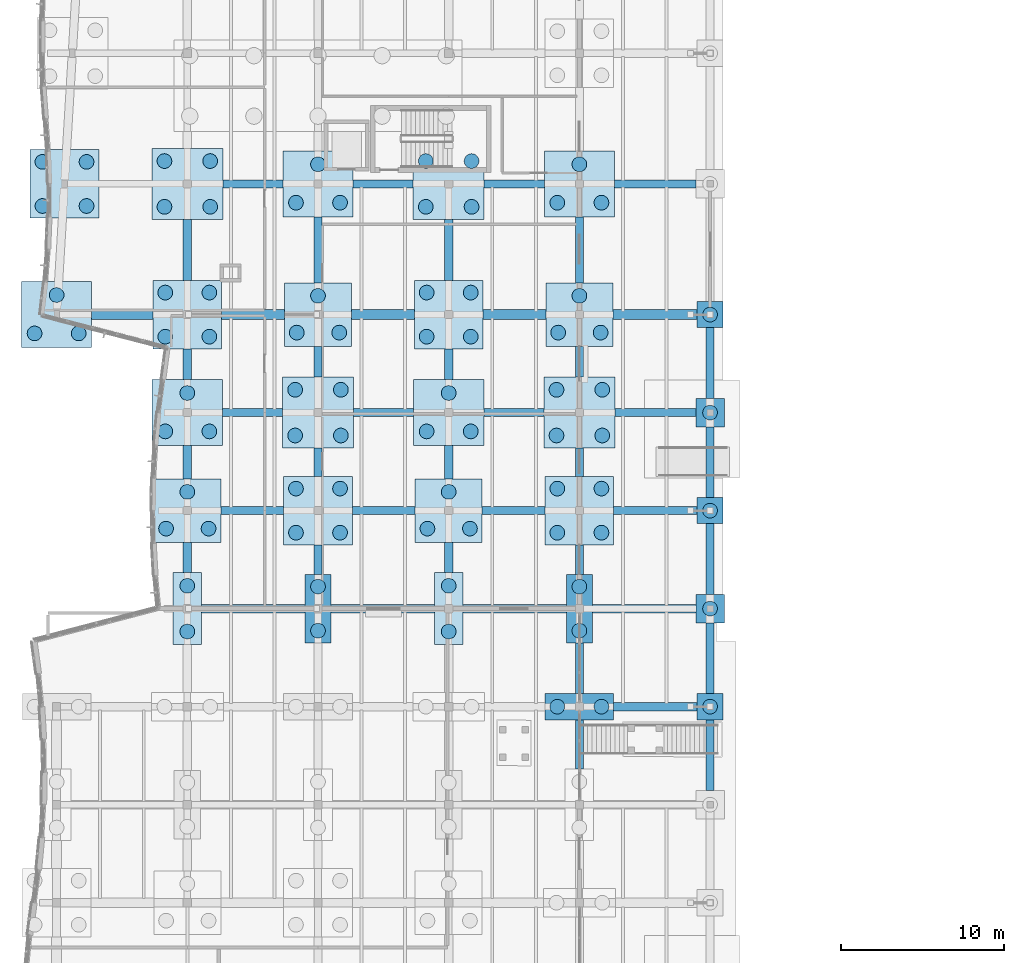
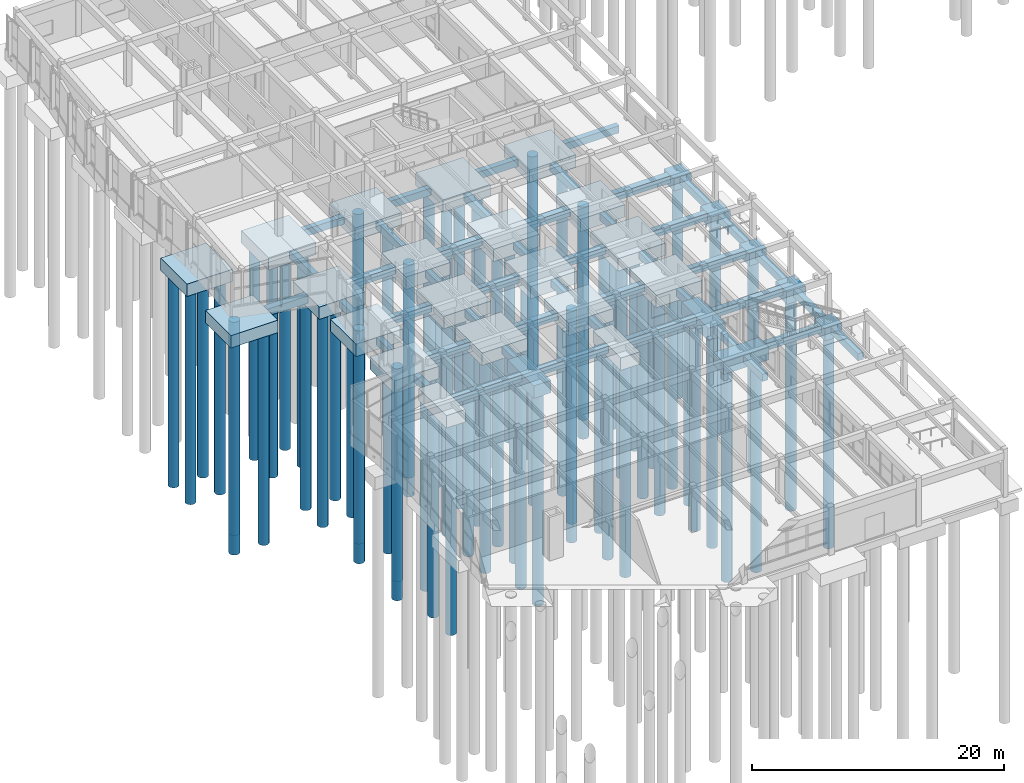
# One storey, part 2 of 99: 78 piles, 73 footings.
"""IFC4 building model written with IfcOpenShell, lengths in metres."""

from ifc_helpers import new_model, si_unit, direction, frame, origin, origin_2d, place, context, subcontext, project, spatial, rectangle, circle, extrude, material, material_profile, profile_set, type_object, element, save


model = new_model("IFC4")

# Units and contexts
model_context = context("Model", 3, precision=1e-05, world=origin(), true_north=direction((0.0, 1.0)))
body_context = subcontext(model_context, "Body", "Model", "MODEL_VIEW")
ifc_project = project(units=[si_unit("LENGTHUNIT", "METRE"), si_unit("AREAUNIT", "SQUARE_METRE"), si_unit("VOLUMEUNIT", "CUBIC_METRE"), si_unit("PLANEANGLEUNIT", "RADIAN"), si_unit("MASSUNIT", "GRAM", prefix="KILO")], contexts=[model_context])

# Site, building, storey
site_placement = place(None, origin())
site = spatial("IfcSite", under=ifc_project, at=site_placement, CompositionType="ELEMENT")
building_placement = place(site_placement, origin())
building = spatial("IfcBuilding", under=site, at=building_placement, Name="Tonlespit Floodbar School", CompositionType="ELEMENT")
storey_placement = place(building_placement, origin())
storey = spatial("IfcBuildingStorey", under=building, at=storey_placement, Name="L00", CompositionType="ELEMENT", Elevation=0.0)

# Footings
ifc_material_1 = material(Name="Concrete C40/50", Category="concrete")
footing_type_1 = type_object("IfcFootingType", Name="FootingBeam_RC_500x700", PredefinedType="FOOTING_BEAM", material=ifc_material_1)
footing_1_placement = place(storey_placement, frame((40.64990234375, 32.0, -0.89990234375), z_axis=(0.0, 0.0, 1.0), x_axis=(1.0, 0.0, 0.0)))
element("IfcFooting", 1, at=footing_1_placement, inside=storey, type_object=footing_type_1, Name="Ground tie beam FB-030", PredefinedType="FOOTING_BEAM", context=body_context, shape_type="SweptSolid", body=[
    extrude(rectangle(XDim=5.10009765625, YDim=0.5, at=origin_2d()), origin(), (0.0, 0.0, 1.0), 0.699951171875),
])
for number, where, z_axis, x_axis, name in (
    (2, (16.03759765625, 38.0, -0.89990234375), (0.0, 0.0, 1.0), (1.0, 0.0, 0.0), "Ground tie beam FB-031"),
    (3, (23.96240234375, 38.0, -0.89990234375), (0.0, 0.0, 1.0), (1.0, 0.0, 0.0), "Ground tie beam FB-032"),
    (4, (32.03759765625, 38.0, -0.89990234375), (0.0, 0.0, 1.0), (1.0, 0.0, 0.0), "Ground tie beam FB-033"),
    (5, (39.96240234375, 38.0, -0.89990234375), (0.0, 0.0, 1.0), (1.0, 0.0, 0.0), "Ground tie beam FB-034"),
):
    element("IfcFooting", number, at=place(storey_placement, frame(where, z_axis=z_axis, x_axis=x_axis)), inside=storey, type_object=footing_type_1, Name=name, PredefinedType="FOOTING_BEAM", context=body_context, shape_type="SweptSolid", body=[
        extrude(rectangle(XDim=6.324951171875, YDim=0.5, at=origin_2d()), origin(), (0.0, 0.0, 1.0), 0.699951171875),
    ])
for number, where, z_axis, x_axis, name in (
    (6, (15.97509765625, 44.0, -0.89990234375), (0.0, 0.0, 1.0), (1.0, 0.0, 0.0), "Ground tie beam FB-035"),
    (7, (24.02490234375, 44.0, -0.89990234375), (0.0, 0.0, 1.0), (1.0, 0.0, 0.0), "Ground tie beam FB-036"),
    (8, (31.97509765625, 44.0, -0.89990234375), (0.0, 0.0, 1.0), (1.0, 0.0, 0.0), "Ground tie beam FB-037"),
):
    element("IfcFooting", number, at=place(storey_placement, frame(where, z_axis=z_axis, x_axis=x_axis)), inside=storey, type_object=footing_type_1, Name=name, PredefinedType="FOOTING_BEAM", context=body_context, shape_type="SweptSolid", body=[
        extrude(rectangle(XDim=3.85009765625, YDim=0.5, at=origin_2d()), origin(), (0.0, 0.0, 1.0), 0.699951171875),
    ])
footing_2_placement = place(storey_placement, frame((40.64990234375, 44.0, -0.89990234375), z_axis=(0.0, 0.0, 1.0), x_axis=(1.0, 0.0, 0.0)))
element("IfcFooting", 9, at=footing_2_placement, inside=storey, type_object=footing_type_1, Name="Ground tie beam FB-038", PredefinedType="FOOTING_BEAM", context=body_context, shape_type="SweptSolid", body=[
    extrude(rectangle(XDim=5.10009765625, YDim=0.5, at=origin_2d()), origin(), (0.0, 0.0, 1.0), 0.699951171875),
])
for number, where, z_axis, x_axis, name in (
    (10, (15.987548828125, 50.0, -0.89990234375), (0.0, 0.0, 1.0), (1.0, 0.0, 0.0), "Ground tie beam FB-039"),
    (11, (24.012451171875, 50.0, -0.89990234375), (0.0, 0.0, 1.0), (1.0, 0.0, 0.0), "Ground tie beam FB-040"),
    (12, (31.987548828125, 50.0, -0.89990234375), (0.0, 0.0, 1.0), (1.0, 0.0, 0.0), "Ground tie beam FB-041"),
):
    element("IfcFooting", number, at=place(storey_placement, frame(where, z_axis=z_axis, x_axis=x_axis)), inside=storey, type_object=footing_type_1, Name=name, PredefinedType="FOOTING_BEAM", context=body_context, shape_type="SweptSolid", body=[
        extrude(rectangle(XDim=3.675048828125, YDim=0.5, at=origin_2d()), origin(), (0.0, 0.0, 1.0), 0.699951171875),
    ])
footing_3_placement = place(storey_placement, frame((40.64990234375, 50.0, -0.89990234375), z_axis=(0.0, 0.0, 1.0), x_axis=(1.0, 0.0, 0.0)))
element("IfcFooting", 13, at=footing_3_placement, inside=storey, type_object=footing_type_1, Name="Ground tie beam FB-042", PredefinedType="FOOTING_BEAM", context=body_context, shape_type="SweptSolid", body=[
    extrude(rectangle(XDim=4.949951171875, YDim=0.5, at=origin_2d()), origin(), (0.0, 0.0, 1.0), 0.699951171875),
])
for number, where, z_axis, x_axis, name in (
    (14, (16.012451171875, 64.0, -0.89990234375), (0.0, 0.0, 1.0), (1.0, 0.0, 0.0), "Ground tie beam FB-055"),
    (15, (23.987548828125, 64.0, -0.89990234375), (0.0, 0.0, 1.0), (1.0, 0.0, 0.0), "Ground tie beam FB-056"),
    (16, (32.012451171875, 64.0, -0.89990234375), (0.0, 0.0, 1.0), (1.0, 0.0, 0.0), "Ground tie beam FB-057"),
):
    element("IfcFooting", number, at=place(storey_placement, frame(where, z_axis=z_axis, x_axis=x_axis)), inside=storey, type_object=footing_type_1, Name=name, PredefinedType="FOOTING_BEAM", context=body_context, shape_type="SweptSolid", body=[
        extrude(rectangle(XDim=3.675048828125, YDim=0.5, at=origin_2d()), origin(), (0.0, 0.0, 1.0), 0.699951171875),
    ])
footing_4_placement = place(storey_placement, frame((40.637451171875, 64.0, -0.89990234375), z_axis=(0.0, 0.0, 1.0), x_axis=(1.0, 0.0, 0.0)))
element("IfcFooting", 17, at=footing_4_placement, inside=storey, type_object=footing_type_1, Name="Ground tie beam FB-058", PredefinedType="FOOTING_BEAM", context=body_context, shape_type="SweptSolid", body=[
    extrude(rectangle(XDim=4.97509765625, YDim=0.5, at=origin_2d()), origin(), (0.0, 0.0, 1.0), 0.699951171875),
])
footing_5_placement = place(storey_placement, frame((12.0, 41.125, -0.89990234375), z_axis=(0.0, 0.0, 1.0), x_axis=(0.0, 1.0, 0.0)))
element("IfcFooting", 18, at=footing_5_placement, inside=storey, type_object=footing_type_1, Name="Ground tie beam FB-170", PredefinedType="FOOTING_BEAM", context=body_context, shape_type="SweptSolid", body=[
    extrude(rectangle(XDim=1.85009765625, YDim=0.5, at=origin_2d()), origin(), (0.0, 0.0, 1.0), 0.699951171875),
])
footing_6_placement = place(storey_placement, frame((12.0, 46.96240234375, -0.89990234375), z_axis=(0.0, 0.0, 1.0), x_axis=(0.0, 1.0, 0.0)))
element("IfcFooting", 19, at=footing_6_placement, inside=storey, type_object=footing_type_1, Name="Ground tie beam FB-171", PredefinedType="FOOTING_BEAM", context=body_context, shape_type="SweptSolid", body=[
    extrude(rectangle(XDim=2.02490234375, YDim=0.5, at=origin_2d()), origin(), (0.0, 0.0, 1.0), 0.699951171875),
])
footing_7_placement = place(storey_placement, frame((12.0, 52.96240234375, -0.89990234375), z_axis=(0.0, 0.0, 1.0), x_axis=(0.0, 1.0, 0.0)))
element("IfcFooting", 20, at=footing_7_placement, inside=storey, type_object=footing_type_1, Name="Ground tie beam FB-172", PredefinedType="FOOTING_BEAM", context=body_context, shape_type="SweptSolid", body=[
    extrude(rectangle(XDim=1.875, YDim=0.5, at=origin_2d()), origin(), (0.0, 0.0, 1.0), 0.699951171875),
])
footing_8_placement = place(storey_placement, frame((12.0, 59.96240234375, -0.89990234375), z_axis=(0.0, 0.0, 1.0), x_axis=(0.0, 1.0, 0.0)))
element("IfcFooting", 21, at=footing_8_placement, inside=storey, type_object=footing_type_1, Name="Ground tie beam FB-173", PredefinedType="FOOTING_BEAM", context=body_context, shape_type="SweptSolid", body=[
    extrude(rectangle(XDim=3.72509765625, YDim=0.5, at=origin_2d()), origin(), (0.0, 0.0, 1.0), 0.699951171875),
])
footing_9_placement = place(storey_placement, frame((20.0, 41.0, -0.89990234375), z_axis=(0.0, 0.0, 1.0), x_axis=(0.0, 1.0, 0.0)))
element("IfcFooting", 22, at=footing_9_placement, inside=storey, type_object=footing_type_1, Name="Ground tie beam FB-183", PredefinedType="FOOTING_BEAM", context=body_context, shape_type="SweptSolid", body=[
    extrude(rectangle(XDim=1.800048828125, YDim=0.5, at=origin_2d()), origin(), (0.0, 0.0, 1.0), 0.699951171875),
])
footing_10_placement = place(storey_placement, frame((20.0, 46.96240234375, -0.89990234375), z_axis=(0.0, 0.0, 1.0), x_axis=(0.0, 1.0, 0.0)))
element("IfcFooting", 23, at=footing_10_placement, inside=storey, type_object=footing_type_1, Name="Ground tie beam FB-184", PredefinedType="FOOTING_BEAM", context=body_context, shape_type="SweptSolid", body=[
    extrude(rectangle(XDim=1.72509765625, YDim=0.5, at=origin_2d()), origin(), (0.0, 0.0, 1.0), 0.699951171875),
])
footing_11_placement = place(storey_placement, frame((20.0, 53.112548828125, -0.89990234375), z_axis=(0.0, 0.0, 1.0), x_axis=(0.0, 1.0, 0.0)))
element("IfcFooting", 24, at=footing_11_placement, inside=storey, type_object=footing_type_1, Name="Ground tie beam FB-185", PredefinedType="FOOTING_BEAM", context=body_context, shape_type="SweptSolid", body=[
    extrude(rectangle(XDim=1.875, YDim=0.5, at=origin_2d()), origin(), (0.0, 0.0, 1.0), 0.699951171875),
])
footing_12_placement = place(storey_placement, frame((20.0, 59.96240234375, -0.89990234375), z_axis=(0.0, 0.0, 1.0), x_axis=(0.0, 1.0, 0.0)))
element("IfcFooting", 25, at=footing_12_placement, inside=storey, type_object=footing_type_1, Name="Ground tie beam FB-186", PredefinedType="FOOTING_BEAM", context=body_context, shape_type="SweptSolid", body=[
    extrude(rectangle(XDim=4.02490234375, YDim=0.5, at=origin_2d()), origin(), (0.0, 0.0, 1.0), 0.699951171875),
])
footing_13_placement = place(storey_placement, frame((28.0, 41.125, -0.89990234375), z_axis=(0.0, 0.0, 1.0), x_axis=(0.0, 1.0, 0.0)))
element("IfcFooting", 26, at=footing_13_placement, inside=storey, type_object=footing_type_1, Name="Ground tie beam FB-196", PredefinedType="FOOTING_BEAM", context=body_context, shape_type="SweptSolid", body=[
    extrude(rectangle(XDim=1.85009765625, YDim=0.5, at=origin_2d()), origin(), (0.0, 0.0, 1.0), 0.699951171875),
])
footing_14_placement = place(storey_placement, frame((28.0, 46.96240234375, -0.89990234375), z_axis=(0.0, 0.0, 1.0), x_axis=(0.0, 1.0, 0.0)))
element("IfcFooting", 27, at=footing_14_placement, inside=storey, type_object=footing_type_1, Name="Ground tie beam FB-197", PredefinedType="FOOTING_BEAM", context=body_context, shape_type="SweptSolid", body=[
    extrude(rectangle(XDim=2.02490234375, YDim=0.5, at=origin_2d()), origin(), (0.0, 0.0, 1.0), 0.699951171875),
])
footing_15_placement = place(storey_placement, frame((28.0, 52.96240234375, -0.89990234375), z_axis=(0.0, 0.0, 1.0), x_axis=(0.0, 1.0, 0.0)))
element("IfcFooting", 28, at=footing_15_placement, inside=storey, type_object=footing_type_1, Name="Ground tie beam FB-198", PredefinedType="FOOTING_BEAM", context=body_context, shape_type="SweptSolid", body=[
    extrude(rectangle(XDim=1.875, YDim=0.5, at=origin_2d()), origin(), (0.0, 0.0, 1.0), 0.699951171875),
])
footing_16_placement = place(storey_placement, frame((28.0, 59.96240234375, -0.89990234375), z_axis=(0.0, 0.0, 1.0), x_axis=(0.0, 1.0, 0.0)))
element("IfcFooting", 29, at=footing_16_placement, inside=storey, type_object=footing_type_1, Name="Ground tie beam FB-199", PredefinedType="FOOTING_BEAM", context=body_context, shape_type="SweptSolid", body=[
    extrude(rectangle(XDim=3.72509765625, YDim=0.5, at=origin_2d()), origin(), (0.0, 0.0, 1.0), 0.699951171875),
])
footing_17_placement = place(storey_placement, frame((36.0, 29.699951171875, -0.89990234375), z_axis=(0.0, 0.0, 1.0), x_axis=(0.0, 1.0, 0.0)))
element("IfcFooting", 30, at=footing_17_placement, inside=storey, type_object=footing_type_1, Name="Ground tie beam FB-207", PredefinedType="FOOTING_BEAM", context=body_context, shape_type="SweptSolid", body=[
    extrude(rectangle(XDim=3.0, YDim=0.5, at=origin_2d()), origin(), (0.0, 0.0, 1.0), 0.699951171875),
])
footing_18_placement = place(storey_placement, frame((36.0, 34.35009765625, -0.89990234375), z_axis=(0.0, 0.0, 1.0), x_axis=(0.0, 1.0, 0.0)))
element("IfcFooting", 31, at=footing_18_placement, inside=storey, type_object=footing_type_1, Name="Ground tie beam FB-208", PredefinedType="FOOTING_BEAM", context=body_context, shape_type="SweptSolid", body=[
    extrude(rectangle(XDim=3.10009765625, YDim=0.5, at=origin_2d()), origin(), (0.0, 0.0, 1.0), 0.699951171875),
])
footing_19_placement = place(storey_placement, frame((36.0, 41.0, -0.89990234375), z_axis=(0.0, 0.0, 1.0), x_axis=(0.0, 1.0, 0.0)))
element("IfcFooting", 32, at=footing_19_placement, inside=storey, type_object=footing_type_1, Name="Ground tie beam FB-209", PredefinedType="FOOTING_BEAM", context=body_context, shape_type="SweptSolid", body=[
    extrude(rectangle(XDim=1.800048828125, YDim=0.5, at=origin_2d()), origin(), (0.0, 0.0, 1.0), 0.699951171875),
])
footing_20_placement = place(storey_placement, frame((36.0, 46.96240234375, -0.89990234375), z_axis=(0.0, 0.0, 1.0), x_axis=(0.0, 1.0, 0.0)))
element("IfcFooting", 33, at=footing_20_placement, inside=storey, type_object=footing_type_1, Name="Ground tie beam FB-210", PredefinedType="FOOTING_BEAM", context=body_context, shape_type="SweptSolid", body=[
    extrude(rectangle(XDim=1.72509765625, YDim=0.5, at=origin_2d()), origin(), (0.0, 0.0, 1.0), 0.699951171875),
])
footing_21_placement = place(storey_placement, frame((36.0, 53.112548828125, -0.89990234375), z_axis=(0.0, 0.0, 1.0), x_axis=(0.0, 1.0, 0.0)))
element("IfcFooting", 34, at=footing_21_placement, inside=storey, type_object=footing_type_1, Name="Ground tie beam FB-211", PredefinedType="FOOTING_BEAM", context=body_context, shape_type="SweptSolid", body=[
    extrude(rectangle(XDim=1.875, YDim=0.5, at=origin_2d()), origin(), (0.0, 0.0, 1.0), 0.699951171875),
])
footing_22_placement = place(storey_placement, frame((36.0, 59.96240234375, -0.89990234375), z_axis=(0.0, 0.0, 1.0), x_axis=(0.0, 1.0, 0.0)))
element("IfcFooting", 35, at=footing_22_placement, inside=storey, type_object=footing_type_1, Name="Ground tie beam FB-212", PredefinedType="FOOTING_BEAM", context=body_context, shape_type="SweptSolid", body=[
    extrude(rectangle(XDim=4.02490234375, YDim=0.5, at=origin_2d()), origin(), (0.0, 0.0, 1.0), 0.699951171875),
])
for number, where, z_axis, x_axis, name in (
    (36, (44.0, 29.03759765625, -0.89990234375), (0.0, 0.0, 1.0), (0.0, 1.0, 0.0), "Ground tie beam FB-220"),
    (37, (44.0, 34.96240234375, -0.89990234375), (0.0, 0.0, 1.0), (0.0, 1.0, 0.0), "Ground tie beam FB-221"),
    (38, (44.0, 41.03759765625, -0.89990234375), (0.0, 0.0, 1.0), (0.0, 1.0, 0.0), "Ground tie beam FB-222"),
    (39, (44.0, 46.96240234375, -0.89990234375), (0.0, 0.0, 1.0), (0.0, 1.0, 0.0), "Ground tie beam FB-223"),
    (40, (44.0, 53.03759765625, -0.89990234375), (0.0, 0.0, 1.0), (0.0, 1.0, 0.0), "Ground tie beam FB-224"),
):
    element("IfcFooting", number, at=place(storey_placement, frame(where, z_axis=z_axis, x_axis=x_axis)), inside=storey, type_object=footing_type_1, Name=name, PredefinedType="FOOTING_BEAM", context=body_context, shape_type="SweptSolid", body=[
        extrude(rectangle(XDim=4.324951171875, YDim=0.5, at=origin_2d()), origin(), (0.0, 0.0, 1.0), 0.699951171875),
    ])
footing_type_2 = type_object("IfcFootingType", Name="PileCap_1P_1600", PredefinedType="PILE_CAP", material=ifc_material_1)
for number, where, z_axis, x_axis, name in (
    (41, (44.0, 32.0, -1.39990234375), (0.0, 0.0, 1.0), (1.0, 0.0, 0.0), "Pile cap FC-071 at U06/V05"),
    (42, (44.0, 44.0, -1.39990234375), (0.0, 0.0, 1.0), (1.0, 0.0, 0.0), "Pile cap FC-073 at U06/V07"),
    (43, (44.0, 56.0, -1.39990234375), (0.0, 0.0, 1.0), (1.0, 0.0, 0.0), "Pile cap FC-075 at U06/V09"),
):
    element("IfcFooting", number, at=place(storey_placement, frame(where, z_axis=z_axis, x_axis=x_axis)), inside=storey, type_object=footing_type_2, Name=name, PredefinedType="PILE_CAP", context=body_context, shape_type="SweptSolid", body=[
        extrude(rectangle(XDim=1.60009765625, YDim=1.60009765625, at=origin_2d()), origin(), (0.0, 0.0, 1.0), 1.199951171875),
    ])
footing_type_3 = type_object("IfcFootingType", Name="PileCap_1P_1750", PredefinedType="PILE_CAP", material=ifc_material_1)
for number, where, z_axis, x_axis, name in (
    (44, (44.0, 38.0, -1.39990234375), (0.0, 0.0, 1.0), (1.0, 0.0, 0.0), "Pile cap FC-072 at U06/V06"),
    (45, (44.0, 50.0, -1.39990234375), (0.0, 0.0, 1.0), (1.0, 0.0, 0.0), "Pile cap FC-074 at U06/V08"),
):
    element("IfcFooting", number, at=place(storey_placement, frame(where, z_axis=z_axis, x_axis=x_axis)), inside=storey, type_object=footing_type_3, Name=name, PredefinedType="PILE_CAP", context=body_context, shape_type="SweptSolid", body=[
        extrude(rectangle(XDim=1.75, YDim=1.75, at=origin_2d()), origin(), (0.0, 0.0, 1.0), 1.199951171875),
    ])
footing_type_4 = type_object("IfcFootingType", Name="PileCap_2PX_4200x1600", PredefinedType="PILE_CAP", material=ifc_material_1)
footing_23_placement = place(storey_placement, frame((36.0, 32.0, -1.39990234375), z_axis=(0.0, 0.0, 1.0), x_axis=(1.0, 0.0, 0.0)))
element("IfcFooting", 46, at=footing_23_placement, inside=storey, type_object=footing_type_4, Name="Pile cap FC-057 at U05/V05", PredefinedType="PILE_CAP", context=body_context, shape_type="SweptSolid", body=[
    extrude(rectangle(XDim=4.199951171875, YDim=1.60009765625, at=origin_2d()), origin(), (0.0, 0.0, 1.0), 1.199951171875),
])
footing_type_5 = type_object("IfcFootingType", Name="PileCap_2PY_1600x4200", PredefinedType="PILE_CAP", material=ifc_material_1)
for number, where, z_axis, x_axis, name in (
    (47, (20.0, 38.0, -1.39990234375), (0.0, 0.0, 1.0), (1.0, 0.0, 0.0), "Pile cap FC-030 at U03/V06"),
    (48, (36.0, 38.0, -1.39990234375), (0.0, 0.0, 1.0), (1.0, 0.0, 0.0), "Pile cap FC-058 at U05/V06"),
):
    element("IfcFooting", number, at=place(storey_placement, frame(where, z_axis=z_axis, x_axis=x_axis)), inside=storey, type_object=footing_type_5, Name=name, PredefinedType="PILE_CAP", context=body_context, shape_type="SweptSolid", body=[
        extrude(rectangle(XDim=1.60009765625, YDim=4.199951171875, at=origin_2d()), origin(), (0.0, 0.0, 1.0), 1.199951171875),
    ])
footing_type_6 = type_object("IfcFootingType", Name="PileCap_2PY_1750x4400", PredefinedType="PILE_CAP", material=ifc_material_1)
for number, where, z_axis, x_axis, name in (
    (49, (12.0, 38.0, -1.39990234375), (0.0, 0.0, 1.0), (1.0, 0.0, 0.0), "Pile cap FC-016 at U02/V06"),
    (50, (28.0, 38.0, -1.39990234375), (0.0, 0.0, 1.0), (1.0, 0.0, 0.0), "Pile cap FC-044 at U04/V06"),
):
    element("IfcFooting", number, at=place(storey_placement, frame(where, z_axis=z_axis, x_axis=x_axis)), inside=storey, type_object=footing_type_6, Name=name, PredefinedType="PILE_CAP", context=body_context, shape_type="SweptSolid", body=[
        extrude(rectangle(XDim=1.75, YDim=4.39990234375, at=origin_2d()), origin(), (0.0, 0.0, 1.0), 1.199951171875),
    ])
footing_type_7 = type_object("IfcFootingType", Name="PileCap_3P_4100x3900", PredefinedType="PILE_CAP", material=ifc_material_1)
for number, where, z_axis, x_axis, name in (
    (51, (12.0, 44.0, -1.39990234375), (0.0, 0.0, 1.0), (1.0, 0.0, 0.0), "Pile cap FC-017 at U02/V07"),
    (52, (20.0, 56.0, -1.39990234375), (0.0, 0.0, 1.0), (1.0, 0.0, 0.0), "Pile cap FC-033 at U03/V09"),
    (53, (28.0, 44.0, -1.39990234375), (0.0, 0.0, 1.0), (1.0, 0.0, 0.0), "Pile cap FC-045 at U04/V07"),
    (54, (36.0, 56.0, -1.39990234375), (0.0, 0.0, 1.0), (1.0, 0.0, 0.0), "Pile cap FC-061 at U05/V09"),
):
    element("IfcFooting", number, at=place(storey_placement, frame(where, z_axis=z_axis, x_axis=x_axis)), inside=storey, type_object=footing_type_7, Name=name, PredefinedType="PILE_CAP", context=body_context, shape_type="SweptSolid", body=[
        extrude(rectangle(XDim=4.10009765625, YDim=3.89990234375, at=origin_2d()), origin(), (0.0, 0.0, 1.0), 1.199951171875),
    ])
footing_type_8 = type_object("IfcFootingType", Name="PileCap_3P_4300x4050", PredefinedType="PILE_CAP", material=ifc_material_1)
for number, where, z_axis, x_axis, name in (
    (55, (4.0, 56.0, -1.39990234375), (0.0, 0.0, 1.0), (1.0, 0.0, 0.0), "Pile cap FC-006 at U01S/V09"),
    (56, (12.0, 50.0, -1.39990234375), (0.0, 0.0, 1.0), (1.0, 0.0, 0.0), "Pile cap FC-018 at U02/V08"),
    (57, (20.0, 64.0, -1.39990234375), (0.0, 0.0, 1.0), (1.0, 0.0, 0.0), "Pile cap FC-034 at U03/V10"),
    (58, (28.0, 50.0, -1.39990234375), (0.0, 0.0, 1.0), (1.0, 0.0, 0.0), "Pile cap FC-046 at U04/V08"),
    (59, (36.0, 64.0, -1.39990234375), (0.0, 0.0, 1.0), (1.0, 0.0, 0.0), "Pile cap FC-062 at U05/V10"),
):
    element("IfcFooting", number, at=place(storey_placement, frame(where, z_axis=z_axis, x_axis=x_axis)), inside=storey, type_object=footing_type_8, Name=name, PredefinedType="PILE_CAP", context=body_context, shape_type="SweptSolid", body=[
        extrude(rectangle(XDim=4.300048828125, YDim=4.050048828125, at=origin_2d()), origin(), (0.0, 0.0, 1.0), 1.199951171875),
    ])
footing_type_9 = type_object("IfcFootingType", Name="PileCap_4P_4200x4200", PredefinedType="PILE_CAP", material=ifc_material_1)
for number, where, z_axis, x_axis, name in (
    (60, (4.47998046875, 64.0, -1.39990234375), (0.0, 0.0, 1.0), (1.0, 0.0, 0.0), "Pile cap FC-007 at U01S/V10"),
    (61, (12.0, 56.0, -1.39990234375), (0.0, 0.0, 1.0), (1.0, 0.0, 0.0), "Pile cap FC-019 at U02/V09"),
    (62, (20.0, 44.0, -1.39990234375), (0.0, 0.0, 1.0), (1.0, 0.0, 0.0), "Pile cap FC-031 at U03/V07"),
    (63, (28.0, 56.0, -1.39990234375), (0.0, 0.0, 1.0), (1.0, 0.0, 0.0), "Pile cap FC-047 at U04/V09"),
    (64, (36.0, 44.0, -1.39990234375), (0.0, 0.0, 1.0), (1.0, 0.0, 0.0), "Pile cap FC-059 at U05/V07"),
):
    element("IfcFooting", number, at=place(storey_placement, frame(where, z_axis=z_axis, x_axis=x_axis)), inside=storey, type_object=footing_type_9, Name=name, PredefinedType="PILE_CAP", context=body_context, shape_type="SweptSolid", body=[
        extrude(rectangle(XDim=4.199951171875, YDim=4.199951171875, at=origin_2d()), origin(), (0.0, 0.0, 1.0), 1.199951171875),
    ])
footing_type_10 = type_object("IfcFootingType", Name="PileCap_4P_4350x4350", PredefinedType="PILE_CAP", material=ifc_material_1)
for number, where, z_axis, x_axis, name in (
    (65, (12.0, 64.0, -1.39990234375), (0.0, 0.0, 1.0), (1.0, 0.0, 0.0), "Pile cap FC-020 at U02/V10"),
    (66, (20.0, 50.0, -1.39990234375), (0.0, 0.0, 1.0), (1.0, 0.0, 0.0), "Pile cap FC-032 at U03/V08"),
    (67, (28.0, 64.0, -1.39990234375), (0.0, 0.0, 1.0), (1.0, 0.0, 0.0), "Pile cap FC-048 at U04/V10"),
    (68, (36.0, 50.0, -1.39990234375), (0.0, 0.0, 1.0), (1.0, 0.0, 0.0), "Pile cap FC-060 at U05/V08"),
):
    element("IfcFooting", number, at=place(storey_placement, frame(where, z_axis=z_axis, x_axis=x_axis)), inside=storey, type_object=footing_type_10, Name=name, PredefinedType="PILE_CAP", context=body_context, shape_type="SweptSolid", body=[
        extrude(rectangle(XDim=4.35009765625, YDim=4.35009765625, at=origin_2d()), origin(), (0.0, 0.0, 1.0), 1.199951171875),
    ])

# Piles
ifc_material_2 = material(Name="Concrete C35/45", Category="concrete")
ifc_material_profile = material_profile(ifc_material_2, circle(Radius=0.449951171875, at=origin_2d()), Name="BP D900")
ifc_profile_set = profile_set([ifc_material_profile], Name="Concrete C35/45")
pile_type = type_object("IfcPileType", Name="Pile_RC_D900", PredefinedType="BORED", material=ifc_profile_set)
for number, where, z_axis, x_axis, name in (
    (69, (2.64990234375, 54.85009765625, -1.300048828125), (0.0, 0.0, -1.0), (1.0, 0.0, 0.0), "Bored pile PL-0065"),
    (70, (5.35009765625, 54.85009765625, -1.300048828125), (0.0, 0.0, -1.0), (1.0, 0.0, 0.0), "Bored pile PL-0066"),
    (71, (4.0, 57.199951171875, -1.300048828125), (0.0, 0.0, -1.0), (1.0, 0.0, 0.0), "Bored pile PL-0067"),
    (72, (3.1298828125, 62.64990234375, -1.300048828125), (0.0, 0.0, -1.0), (1.0, 0.0, 0.0), "Bored pile PL-0068"),
    (73, (5.830078125, 62.64990234375, -1.300048828125), (0.0, 0.0, -1.0), (1.0, 0.0, 0.0), "Bored pile PL-0069"),
    (74, (3.1298828125, 65.35009765625, -1.300048828125), (0.0, 0.0, -1.0), (1.0, 0.0, 0.0), "Bored pile PL-0070"),
    (75, (5.830078125, 65.35009765625, -1.300048828125), (0.0, 0.0, -1.0), (1.0, 0.0, 0.0), "Bored pile PL-0071"),
    (76, (12.0, 36.60009765625, -1.300048828125), (0.0, 0.0, -1.0), (1.0, 0.0, 0.0), "Bored pile PL-0097"),
    (77, (12.0, 39.39990234375, -1.300048828125), (0.0, 0.0, -1.0), (1.0, 0.0, 0.0), "Bored pile PL-0098"),
    (78, (10.699951171875, 42.89990234375, -1.300048828125), (0.0, 0.0, -1.0), (1.0, 0.0, 0.0), "Bored pile PL-0099"),
    (79, (13.300048828125, 42.89990234375, -1.300048828125), (0.0, 0.0, -1.0), (1.0, 0.0, 0.0), "Bored pile PL-0100"),
    (80, (12.0, 45.14990234375, -1.300048828125), (0.0, 0.0, -1.0), (1.0, 0.0, 0.0), "Bored pile PL-0101"),
    (81, (10.64990234375, 48.85009765625, -1.300048828125), (0.0, 0.0, -1.0), (1.0, 0.0, 0.0), "Bored pile PL-0102"),
    (82, (13.35009765625, 48.85009765625, -1.300048828125), (0.0, 0.0, -1.0), (1.0, 0.0, 0.0), "Bored pile PL-0103"),
    (83, (12.0, 51.199951171875, -1.300048828125), (0.0, 0.0, -1.0), (1.0, 0.0, 0.0), "Bored pile PL-0104"),
    (84, (10.64990234375, 54.64990234375, -1.300048828125), (0.0, 0.0, -1.0), (1.0, 0.0, 0.0), "Bored pile PL-0105"),
    (85, (13.35009765625, 54.64990234375, -1.300048828125), (0.0, 0.0, -1.0), (1.0, 0.0, 0.0), "Bored pile PL-0106"),
    (86, (10.64990234375, 57.35009765625, -1.300048828125), (0.0, 0.0, -1.0), (1.0, 0.0, 0.0), "Bored pile PL-0107"),
    (87, (13.35009765625, 57.35009765625, -1.300048828125), (0.0, 0.0, -1.0), (1.0, 0.0, 0.0), "Bored pile PL-0108"),
    (88, (10.60009765625, 62.60009765625, -1.300048828125), (0.0, 0.0, -1.0), (1.0, 0.0, 0.0), "Bored pile PL-0109"),
    (89, (13.39990234375, 62.60009765625, -1.300048828125), (0.0, 0.0, -1.0), (1.0, 0.0, 0.0), "Bored pile PL-0110"),
    (90, (10.60009765625, 65.39990234375, -1.300048828125), (0.0, 0.0, -1.0), (1.0, 0.0, 0.0), "Bored pile PL-0111"),
    (91, (13.39990234375, 65.39990234375, -1.300048828125), (0.0, 0.0, -1.0), (1.0, 0.0, 0.0), "Bored pile PL-0112"),
    (92, (20.0, 36.64990234375, -1.300048828125), (0.0, 0.0, -1.0), (1.0, 0.0, 0.0), "Bored pile PL-0138"),
    (93, (20.0, 39.35009765625, -1.300048828125), (0.0, 0.0, -1.0), (1.0, 0.0, 0.0), "Bored pile PL-0139"),
    (94, (18.64990234375, 42.64990234375, -1.300048828125), (0.0, 0.0, -1.0), (1.0, 0.0, 0.0), "Bored pile PL-0140"),
    (95, (21.35009765625, 42.64990234375, -1.300048828125), (0.0, 0.0, -1.0), (1.0, 0.0, 0.0), "Bored pile PL-0141"),
    (96, (18.64990234375, 45.35009765625, -1.300048828125), (0.0, 0.0, -1.0), (1.0, 0.0, 0.0), "Bored pile PL-0142"),
    (97, (21.35009765625, 45.35009765625, -1.300048828125), (0.0, 0.0, -1.0), (1.0, 0.0, 0.0), "Bored pile PL-0143"),
    (98, (18.60009765625, 48.60009765625, -1.300048828125), (0.0, 0.0, -1.0), (1.0, 0.0, 0.0), "Bored pile PL-0144"),
    (99, (21.39990234375, 48.60009765625, -1.300048828125), (0.0, 0.0, -1.0), (1.0, 0.0, 0.0), "Bored pile PL-0145"),
    (100, (18.60009765625, 51.39990234375, -1.300048828125), (0.0, 0.0, -1.0), (1.0, 0.0, 0.0), "Bored pile PL-0146"),
    (101, (21.39990234375, 51.39990234375, -1.300048828125), (0.0, 0.0, -1.0), (1.0, 0.0, 0.0), "Bored pile PL-0147"),
    (102, (18.699951171875, 54.89990234375, -1.300048828125), (0.0, 0.0, -1.0), (1.0, 0.0, 0.0), "Bored pile PL-0148"),
    (103, (21.300048828125, 54.89990234375, -1.300048828125), (0.0, 0.0, -1.0), (1.0, 0.0, 0.0), "Bored pile PL-0149"),
    (104, (20.0, 57.14990234375, -1.300048828125), (0.0, 0.0, -1.0), (1.0, 0.0, 0.0), "Bored pile PL-0150"),
    (105, (18.64990234375, 62.85009765625, -1.300048828125), (0.0, 0.0, -1.0), (1.0, 0.0, 0.0), "Bored pile PL-0151"),
    (106, (21.35009765625, 62.85009765625, -1.300048828125), (0.0, 0.0, -1.0), (1.0, 0.0, 0.0), "Bored pile PL-0152"),
    (107, (20.0, 65.199951171875, -1.300048828125), (0.0, 0.0, -1.0), (1.0, 0.0, 0.0), "Bored pile PL-0153"),
    (108, (28.0, 36.60009765625, -1.300048828125), (0.0, 0.0, -1.0), (1.0, 0.0, 0.0), "Bored pile PL-0179"),
    (109, (28.0, 39.39990234375, -1.300048828125), (0.0, 0.0, -1.0), (1.0, 0.0, 0.0), "Bored pile PL-0180"),
    (110, (26.699951171875, 42.89990234375, -1.300048828125), (0.0, 0.0, -1.0), (1.0, 0.0, 0.0), "Bored pile PL-0181"),
    (111, (29.300048828125, 42.89990234375, -1.300048828125), (0.0, 0.0, -1.0), (1.0, 0.0, 0.0), "Bored pile PL-0182"),
    (112, (28.0, 45.14990234375, -1.300048828125), (0.0, 0.0, -1.0), (1.0, 0.0, 0.0), "Bored pile PL-0183"),
    (113, (26.64990234375, 48.85009765625, -1.300048828125), (0.0, 0.0, -1.0), (1.0, 0.0, 0.0), "Bored pile PL-0184"),
    (114, (29.35009765625, 48.85009765625, -1.300048828125), (0.0, 0.0, -1.0), (1.0, 0.0, 0.0), "Bored pile PL-0185"),
    (115, (28.0, 51.199951171875, -1.300048828125), (0.0, 0.0, -1.0), (1.0, 0.0, 0.0), "Bored pile PL-0186"),
    (116, (26.64990234375, 54.64990234375, -1.300048828125), (0.0, 0.0, -1.0), (1.0, 0.0, 0.0), "Bored pile PL-0187"),
    (117, (29.35009765625, 54.64990234375, -1.300048828125), (0.0, 0.0, -1.0), (1.0, 0.0, 0.0), "Bored pile PL-0188"),
    (118, (26.64990234375, 57.35009765625, -1.300048828125), (0.0, 0.0, -1.0), (1.0, 0.0, 0.0), "Bored pile PL-0189"),
    (119, (29.35009765625, 57.35009765625, -1.300048828125), (0.0, 0.0, -1.0), (1.0, 0.0, 0.0), "Bored pile PL-0190"),
    (120, (26.60009765625, 62.60009765625, -1.300048828125), (0.0, 0.0, -1.0), (1.0, 0.0, 0.0), "Bored pile PL-0191"),
    (121, (29.39990234375, 62.60009765625, -1.300048828125), (0.0, 0.0, -1.0), (1.0, 0.0, 0.0), "Bored pile PL-0192"),
    (122, (26.60009765625, 65.39990234375, -1.300048828125), (0.0, 0.0, -1.0), (1.0, 0.0, 0.0), "Bored pile PL-0193"),
    (123, (29.39990234375, 65.39990234375, -1.300048828125), (0.0, 0.0, -1.0), (1.0, 0.0, 0.0), "Bored pile PL-0194"),
    (124, (34.64990234375, 32.0, -1.300048828125), (0.0, 0.0, -1.0), (1.0, 0.0, 0.0), "Bored pile PL-0214"),
    (125, (37.35009765625, 32.0, -1.300048828125), (0.0, 0.0, -1.0), (1.0, 0.0, 0.0), "Bored pile PL-0215"),
    (126, (36.0, 36.64990234375, -1.300048828125), (0.0, 0.0, -1.0), (1.0, 0.0, 0.0), "Bored pile PL-0216"),
    (127, (36.0, 39.35009765625, -1.300048828125), (0.0, 0.0, -1.0), (1.0, 0.0, 0.0), "Bored pile PL-0217"),
    (128, (34.64990234375, 42.64990234375, -1.300048828125), (0.0, 0.0, -1.0), (1.0, 0.0, 0.0), "Bored pile PL-0218"),
    (129, (37.35009765625, 42.64990234375, -1.300048828125), (0.0, 0.0, -1.0), (1.0, 0.0, 0.0), "Bored pile PL-0219"),
    (130, (34.64990234375, 45.35009765625, -1.300048828125), (0.0, 0.0, -1.0), (1.0, 0.0, 0.0), "Bored pile PL-0220"),
    (131, (37.35009765625, 45.35009765625, -1.300048828125), (0.0, 0.0, -1.0), (1.0, 0.0, 0.0), "Bored pile PL-0221"),
    (132, (34.60009765625, 48.60009765625, -1.300048828125), (0.0, 0.0, -1.0), (1.0, 0.0, 0.0), "Bored pile PL-0222"),
    (133, (37.39990234375, 48.60009765625, -1.300048828125), (0.0, 0.0, -1.0), (1.0, 0.0, 0.0), "Bored pile PL-0223"),
    (134, (34.60009765625, 51.39990234375, -1.300048828125), (0.0, 0.0, -1.0), (1.0, 0.0, 0.0), "Bored pile PL-0224"),
    (135, (37.39990234375, 51.39990234375, -1.300048828125), (0.0, 0.0, -1.0), (1.0, 0.0, 0.0), "Bored pile PL-0225"),
    (136, (34.699951171875, 54.89990234375, -1.300048828125), (0.0, 0.0, -1.0), (1.0, 0.0, 0.0), "Bored pile PL-0226"),
    (137, (37.300048828125, 54.89990234375, -1.300048828125), (0.0, 0.0, -1.0), (1.0, 0.0, 0.0), "Bored pile PL-0227"),
    (138, (36.0, 57.14990234375, -1.300048828125), (0.0, 0.0, -1.0), (1.0, 0.0, 0.0), "Bored pile PL-0228"),
    (139, (34.64990234375, 62.85009765625, -1.300048828125), (0.0, 0.0, -1.0), (1.0, 0.0, 0.0), "Bored pile PL-0229"),
    (140, (37.35009765625, 62.85009765625, -1.300048828125), (0.0, 0.0, -1.0), (1.0, 0.0, 0.0), "Bored pile PL-0230"),
    (141, (36.0, 65.199951171875, -1.300048828125), (0.0, 0.0, -1.0), (1.0, 0.0, 0.0), "Bored pile PL-0231"),
    (142, (44.0, 32.0, -1.300048828125), (0.0, 0.0, -1.0), (1.0, 0.0, 0.0), "Bored pile PL-0250"),
    (143, (44.0, 38.0, -1.300048828125), (0.0, 0.0, -1.0), (1.0, 0.0, 0.0), "Bored pile PL-0251"),
    (144, (44.0, 44.0, -1.300048828125), (0.0, 0.0, -1.0), (1.0, 0.0, 0.0), "Bored pile PL-0252"),
    (145, (44.0, 50.0, -1.300048828125), (0.0, 0.0, -1.0), (1.0, 0.0, 0.0), "Bored pile PL-0253"),
    (146, (44.0, 56.0, -1.300048828125), (0.0, 0.0, -1.0), (1.0, 0.0, 0.0), "Bored pile PL-0254"),
):
    element("IfcPile", number, at=place(storey_placement, frame(where, z_axis=z_axis, x_axis=x_axis)), inside=storey, type_object=pile_type, Name=name, PredefinedType="BORED", context=body_context, shape_type="SweptSolid", body=[
        extrude(circle(Radius=0.449951171875, at=origin_2d()), origin(), (0.0, 0.0, 1.0), 20.699951171875),
    ])

# Footings
footing_type_11 = type_object("IfcFootingType", Name="StripFooting_RC_600x700", PredefinedType="STRIP_FOOTING", material=ifc_material_1)
footing_24_placement = place(storey_placement, frame((8.02490234375, 56.0, -0.89990234375), z_axis=(0.0, 0.0, 1.0), x_axis=(1.0, 0.0, 0.0)))
element("IfcFooting", 147, at=footing_24_placement, inside=storey, type_object=footing_type_11, Name="Ground tie beam FB-043", PredefinedType="STRIP_FOOTING", context=body_context, shape_type="SweptSolid", body=[
    extrude(rectangle(XDim=3.75, YDim=0.60009765625, at=origin_2d()), origin(), (0.0, 0.0, 1.0), 0.699951171875),
])
for number, where, z_axis, x_axis, name in (
    (148, (16.02490234375, 56.0, -0.89990234375), (0.0, 0.0, 1.0), (1.0, 0.0, 0.0), "Ground tie beam FB-044"),
    (149, (23.97509765625, 56.0, -0.89990234375), (0.0, 0.0, 1.0), (1.0, 0.0, 0.0), "Ground tie beam FB-045"),
    (150, (32.02490234375, 56.0, -0.89990234375), (0.0, 0.0, 1.0), (1.0, 0.0, 0.0), "Ground tie beam FB-046"),
):
    element("IfcFooting", number, at=place(storey_placement, frame(where, z_axis=z_axis, x_axis=x_axis)), inside=storey, type_object=footing_type_11, Name=name, PredefinedType="STRIP_FOOTING", context=body_context, shape_type="SweptSolid", body=[
        extrude(rectangle(XDim=3.85009765625, YDim=0.60009765625, at=origin_2d()), origin(), (0.0, 0.0, 1.0), 0.699951171875),
    ])
footing_25_placement = place(storey_placement, frame((40.625, 56.0, -0.89990234375), z_axis=(0.0, 0.0, 1.0), x_axis=(1.0, 0.0, 0.0)))
element("IfcFooting", 151, at=footing_25_placement, inside=storey, type_object=footing_type_11, Name="Ground tie beam FB-047", PredefinedType="STRIP_FOOTING", context=body_context, shape_type="SweptSolid", body=[
    extrude(rectangle(XDim=5.14990234375, YDim=0.60009765625, at=origin_2d()), origin(), (0.0, 0.0, 1.0), 0.699951171875),
])

save(model, "model.ifc")
